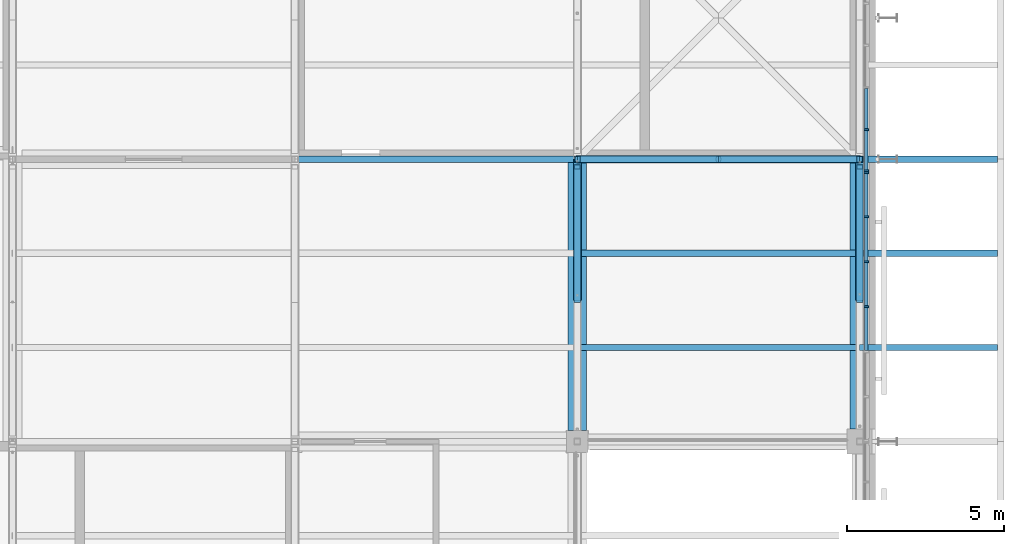
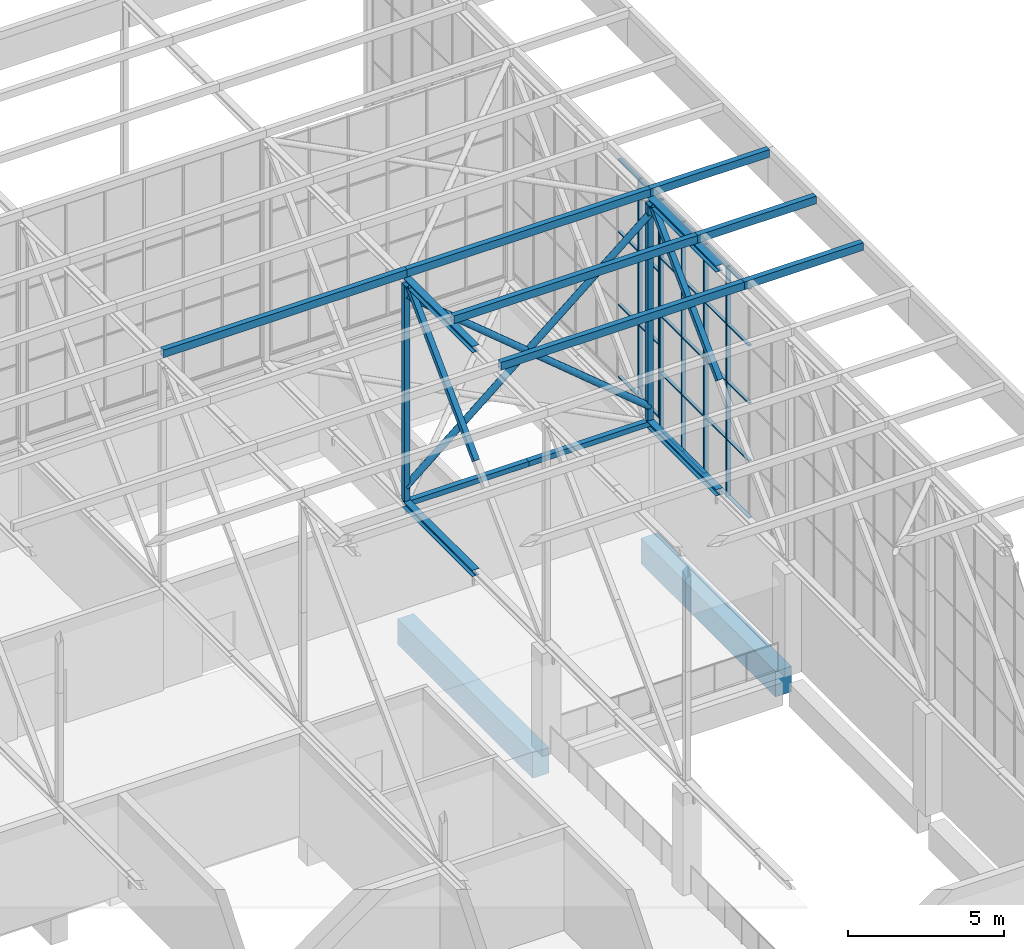
# One storey, part 110 of 646: 57 members, 2 beams, 2 elements without a shape of their own.
"""IFC4 building model written with IfcOpenShell, lengths in metres."""

from ifc_helpers import new_model, si_unit, direction, frame, origin, origin_2d, place, context, subcontext, project, spatial, rectangle, hollow_rectangle, hollow_circle, i_section, extrude, material, material_profile, profile_set, type_object, element, aggregate, save


model = new_model("IFC4")

# Units and contexts
model_context = context("Model", 3, precision=1e-05, world=origin(), true_north=direction((0.0, 1.0)))
body_context = subcontext(model_context, "Body", "Model", "MODEL_VIEW")
ifc_project = project(units=[si_unit("LENGTHUNIT", "METRE"), si_unit("AREAUNIT", "SQUARE_METRE"), si_unit("VOLUMEUNIT", "CUBIC_METRE"), si_unit("PLANEANGLEUNIT", "RADIAN"), si_unit("MASSUNIT", "GRAM", prefix="KILO")], contexts=[model_context])

# Site, building, storey
site_placement = place(None, origin())
site = spatial("IfcSite", under=ifc_project, at=site_placement, CompositionType="ELEMENT")
building_placement = place(site_placement, origin())
building = spatial("IfcBuilding", under=site, at=building_placement, Name="Silverbay Arena", CompositionType="ELEMENT")
storey_placement = place(building_placement, frame((0.0, 0.0, 33.5)))
storey = spatial("IfcBuildingStorey", under=building, at=storey_placement, Name="L05", CompositionType="ELEMENT", Elevation=33.5)

# Members
ifc_material_1 = material(Name="Steel S355", Category="steel")
ifc_material_profile_1 = material_profile(ifc_material_1, hollow_rectangle(XDim=0.199951171875, YDim=0.199951171875, WallThickness=0.008056640625, at=origin_2d()), Name="SHS 200x200x8")
ifc_profile_set_1 = profile_set([ifc_material_profile_1], Name="Steel S355")
member_type_1 = type_object("IfcMemberType", Name="Bracing strut SHS 200x200x8", PredefinedType="STRUT", material=ifc_profile_set_1)
for number, where, z_axis, x_axis, name in (
    (1, (198.0, 135.0, 4.126953125), (1.0, 0.0, 0.0), (0.0, 1.0, 0.0), "ROOF BRACING strut 23-24 line 15a"),
    (2, (202.5, 135.0, 4.126953125), (1.0, 0.0, 0.0), (0.0, 1.0, 0.0), "ROOF BRACING strut 23-24 line 15b"),
):
    element("IfcMember", number, at=place(storey_placement, frame(where, z_axis=z_axis, x_axis=x_axis)), inside=storey, type_object=member_type_1, Name=name, PredefinedType="STRUT", context=body_context, shape_type="SweptSolid", body=[
        extrude(hollow_rectangle(XDim=0.199951171875, YDim=0.199951171875, WallThickness=0.008056640625, at=origin_2d()), origin(), (0.0, 0.0, 1.0), 4.5),
    ])

# Curtain wall, members
ifc_material_2 = material(Name="Aluminium framed glazing", Category="aluminium")
curtain_wall_type_1 = type_object("IfcCurtainWallType", Name="Curtain wall clerestory 8600 x 9000", PredefinedType="NOTDEFINED", material=ifc_material_2)
curtain_wall_1_placement = place(storey_placement, origin())
curtain_wall_1 = element("IfcCurtainWall", 3, at=curtain_wall_1_placement, inside=storey, type_object=curtain_wall_type_1, Name="ROOF GABLE CLERESTORY CURTAIN WALL east bay 14", PredefinedType="NOTDEFINED")
ifc_material_3 = material(Name="Aluminium", Category="aluminium")
ifc_material_profile_2 = material_profile(ifc_material_3, rectangle(XDim=0.159912109375, YDim=0.06005859375, at=origin_2d()), Name="Mullion 60 x 160")
ifc_profile_set_2 = profile_set([ifc_material_profile_2], Name="Aluminium")
member_type_2 = type_object("IfcMemberType", Name="Mullion 60 x 160", PredefinedType="MULLION", material=ifc_profile_set_2)
member_1_placement = place(storey_placement, frame((207.2099609375, 130.300048828125, 4.0), z_axis=(0.0, 0.0, 1.0), x_axis=(-1.0, 0.0, 0.0)))
member_1 = element("IfcMember", 4, at=member_1_placement, type_object=member_type_2, Name="CW59 mullion 4", PredefinedType="MULLION", context=body_context, shape_type="SweptSolid", body=[
    extrude(rectangle(XDim=0.159912109375, YDim=0.06005859375, at=origin_2d()), origin(), (0.0, 0.0, 1.0), 9.0),
])
member_2_placement = place(storey_placement, frame((207.2099609375, 131.7333984375, 4.0), z_axis=(0.0, 0.0, 1.0), x_axis=(-1.0, 0.0, 0.0)))
member_2 = element("IfcMember", 5, at=member_2_placement, type_object=member_type_2, Name="CW59 mullion 5", PredefinedType="MULLION", context=body_context, shape_type="SweptSolid", body=[
    extrude(rectangle(XDim=0.159912109375, YDim=0.06005859375, at=origin_2d()), origin(), (0.0, 0.0, 1.0), 9.0),
])
member_3_placement = place(storey_placement, frame((207.2099609375, 133.166748046875, 4.0), z_axis=(0.0, 0.0, 1.0), x_axis=(-1.0, 0.0, 0.0)))
member_3 = element("IfcMember", 6, at=member_3_placement, type_object=member_type_2, Name="CW59 mullion 6", PredefinedType="MULLION", context=body_context, shape_type="SweptSolid", body=[
    extrude(rectangle(XDim=0.159912109375, YDim=0.06005859375, at=origin_2d()), origin(), (0.0, 0.0, 1.0), 9.0),
])
member_4_placement = place(storey_placement, frame((207.2099609375, 134.570068359375, 4.0), z_axis=(0.0, 0.0, 1.0), x_axis=(-1.0, 0.0, 0.0)))
member_4 = element("IfcMember", 7, at=member_4_placement, type_object=member_type_2, Name="CW59 mullion 7", PredefinedType="MULLION", context=body_context, shape_type="SweptSolid", body=[
    extrude(rectangle(XDim=0.159912109375, YDim=0.06005859375, at=origin_2d()), origin(), (0.0, 0.0, 1.0), 9.0),
])

ifc_material_4 = material(Name="Aluminium framed glazing", Category="aluminium")
curtain_wall_type_2 = type_object("IfcCurtainWallType", Name="Curtain wall clerestory 9400 x 8547", PredefinedType="NOTDEFINED", material=ifc_material_4)
curtain_wall_2_placement = place(storey_placement, origin())
curtain_wall_2 = element("IfcCurtainWall", 8, at=curtain_wall_2_placement, inside=storey, type_object=curtain_wall_type_2, Name="ROOF GABLE CLERESTORY CURTAIN WALL east bay 15", PredefinedType="NOTDEFINED")
member_5_placement = place(storey_placement, frame((207.2099609375, 134.6298828125, 4.453369140625), z_axis=(0.0, 0.0, 1.0), x_axis=(-1.0, 0.0, 0.0)))
member_5 = element("IfcMember", 9, at=member_5_placement, type_object=member_type_2, Name="CW58 mullion 1", PredefinedType="MULLION", context=body_context, shape_type="SweptSolid", body=[
    extrude(rectangle(XDim=0.159912109375, YDim=0.06005859375, at=origin_2d()), origin(), (0.0, 0.0, 1.0), 8.546630859375),
])
member_6_placement = place(storey_placement, frame((207.2099609375, 135.94287109375, 4.453369140625), z_axis=(0.0, 0.0, 1.0), x_axis=(-1.0, 0.0, 0.0)))
member_6 = element("IfcMember", 10, at=member_6_placement, type_object=member_type_2, Name="CW58 mullion 2", PredefinedType="MULLION", context=body_context, shape_type="SweptSolid", body=[
    extrude(rectangle(XDim=0.159912109375, YDim=0.06005859375, at=origin_2d()), origin(), (0.0, 0.0, 1.0), 8.546630859375),
])

# Members
ifc_material_5 = material(Name="Steel S355", Category="steel")
ifc_material_profile_3 = material_profile(ifc_material_5, hollow_rectangle(XDim=0.199951171875, YDim=0.300048828125, WallThickness=0.00634765625, at=origin_2d()), Name="RHS 300x200x6.3")
ifc_profile_set_3 = profile_set([ifc_material_profile_3], Name="Steel S355")
member_type_3 = type_object("IfcMemberType", Name="Purlin RHS 300x200x6.3", PredefinedType="PURLIN", material=ifc_profile_set_3)
member_7_placement = place(storey_placement, frame((189.0, 135.0, 13.14990234375), z_axis=(1.0, 0.0, 0.0), x_axis=(0.0, 1.0, 0.0)))
element("IfcMember", 11, at=member_7_placement, inside=storey, type_object=member_type_3, Name="ROOF PURLIN 22-23 line 43", PredefinedType="PURLIN", context=body_context, shape_type="SweptSolid", body=[
    extrude(hollow_rectangle(XDim=0.199951171875, YDim=0.300048828125, WallThickness=0.00634765625, at=origin_2d()), origin(), (0.0, 0.0, 1.0), 9.0),
])
ifc_material_6 = material(Name="Steel S355", Category="steel")
ifc_material_profile_4 = material_profile(ifc_material_6, hollow_rectangle(XDim=0.199951171875, YDim=0.300048828125, WallThickness=0.008056640625, at=origin_2d()), Name="RHS 300x200x8")
ifc_profile_set_4 = profile_set([ifc_material_profile_4], Name="Steel S355")
member_type_4 = type_object("IfcMemberType", Name="Purlin RHS 300x200x8", PredefinedType="PURLIN", material=ifc_profile_set_4)
for number, where, z_axis, x_axis, name in (
    (12, (198.0, 129.0, 13.14990234375), (1.0, 0.0, 0.0), (0.0, 1.0, 0.0), "ROOF PURLIN 23-24 line 41"),
    (13, (198.0, 132.0, 13.14990234375), (1.0, 0.0, 0.0), (0.0, 1.0, 0.0), "ROOF PURLIN 23-24 line 42"),
    (14, (198.0, 135.0, 13.14990234375), (1.0, 0.0, 0.0), (0.0, 1.0, 0.0), "ROOF PURLIN 23-24 line 43"),
):
    element("IfcMember", number, at=place(storey_placement, frame(where, z_axis=z_axis, x_axis=x_axis)), inside=storey, type_object=member_type_4, Name=name, PredefinedType="PURLIN", context=body_context, shape_type="SweptSolid", body=[
        extrude(hollow_rectangle(XDim=0.199951171875, YDim=0.300048828125, WallThickness=0.008056640625, at=origin_2d()), origin(), (0.0, 0.0, 1.0), 9.0),
    ])
for number, where, z_axis, x_axis, name in (
    (15, (211.39990234375, 129.0, 13.14990234375), (-1.0, 0.0, 0.0), (0.0, -1.0, 0.0), "ROOF PURLIN east eave line 41"),
    (16, (211.39990234375, 132.0, 13.14990234375), (-1.0, 0.0, 0.0), (0.0, -1.0, 0.0), "ROOF PURLIN east eave line 42"),
    (17, (211.39990234375, 135.0, 13.14990234375), (-1.0, 0.0, 0.0), (0.0, -1.0, 0.0), "ROOF PURLIN east eave line 43"),
):
    element("IfcMember", number, at=place(storey_placement, frame(where, z_axis=z_axis, x_axis=x_axis)), inside=storey, type_object=member_type_4, Name=name, PredefinedType="PURLIN", context=body_context, shape_type="SweptSolid", body=[
        extrude(hollow_rectangle(XDim=0.199951171875, YDim=0.300048828125, WallThickness=0.008056640625, at=origin_2d()), origin(), (0.0, 0.0, 1.0), 4.39990234375),
    ])

# Beams
ifc_material_7 = material(Name="Concrete Grade C45", Category="concrete")
ifc_material_profile_5 = material_profile(ifc_material_7, rectangle(XDim=0.60009765625, YDim=1.0, at=origin_2d()), Name="RC 600x1000")
ifc_profile_set_5 = profile_set([ifc_material_profile_5], Name="Concrete Grade C45")
beam_type = type_object("IfcBeamType", Name="RC beam 600x1000", PredefinedType="BEAM", material=ifc_profile_set_5)
beam_1_placement = place(storey_placement, frame((198.0, 126.35009765625, -0.800048828125), z_axis=(0.0, 1.0, 0.0), x_axis=(-1.0, 0.0, 0.0)))
element("IfcBeam", 18, at=beam_1_placement, inside=storey, type_object=beam_type, Name="Floor beam L05 146", PredefinedType="BEAM", context=body_context, shape_type="SweptSolid", body=[
    extrude(rectangle(XDim=0.60009765625, YDim=1.0, at=origin_2d()), origin(), (0.0, 0.0, 1.0), 8.64990234375),
])
beam_2_placement = place(storey_placement, frame((207.0, 126.39990234375, -0.800048828125), z_axis=(0.0, 1.0, 0.0), x_axis=(-1.0, 0.0, 0.0)))
element("IfcBeam", 19, at=beam_2_placement, inside=storey, type_object=beam_type, Name="Floor beam L05 154", PredefinedType="BEAM", context=body_context, shape_type="SweptSolid", body=[
    extrude(rectangle(XDim=0.60009765625, YDim=1.0, at=origin_2d()), origin(), (0.0, 0.0, 1.0), 8.60009765625),
])

# Members
ifc_material_8 = material(Name="Steel S355", Category="steel")
ifc_material_profile_6 = material_profile(ifc_material_8, i_section(OverallWidth=0.254638671875, OverallDepth=0.254150390625, WebThickness=0.008544921875, FlangeThickness=0.01416015625, at=origin_2d()), Name="UC 254x254x73")
ifc_profile_set_6 = profile_set([ifc_material_profile_6], Name="Steel S355")
member_type_5 = type_object("IfcMemberType", Name="Short-span bottom chord UC 254x254x73", PredefinedType="CHORD", material=ifc_profile_set_6)
for number, where, z_axis, x_axis, name in (
    (20, (198.0, 130.5, 4.126953125), (0.0, 1.0, 0.0), (-1.0, 0.0, 0.0), "ROOF TRUSS 23 bottom chord 14b"),
    (21, (207.0, 130.5, 4.126953125), (0.0, 1.0, 0.0), (-1.0, 0.0, 0.0), "ROOF TRUSS 24 bottom chord 14b"),
):
    element("IfcMember", number, at=place(storey_placement, frame(where, z_axis=z_axis, x_axis=x_axis)), inside=storey, type_object=member_type_5, Name=name, PredefinedType="CHORD", context=body_context, shape_type="SweptSolid", body=[
        extrude(i_section(OverallWidth=0.254638671875, OverallDepth=0.254150390625, WebThickness=0.008544921875, FlangeThickness=0.01416015625, at=origin_2d()), origin(), (0.0, 0.0, 1.0), 4.5),
    ])
ifc_material_9 = material(Name="Steel S355", Category="steel")
ifc_material_profile_7 = material_profile(ifc_material_9, i_section(OverallWidth=0.254638671875, OverallDepth=0.254150390625, WebThickness=0.008544921875, FlangeThickness=0.01416015625, at=origin_2d()), Name="UC 254x254x73")
ifc_profile_set_7 = profile_set([ifc_material_profile_7], Name="Steel S355")
member_type_6 = type_object("IfcMemberType", Name="Short-span top chord UC 254x254x73", PredefinedType="CHORD", material=ifc_profile_set_7)
for number, where, z_axis, x_axis, name in (
    (22, (198.0, 130.5, 12.873046875), (0.0, 1.0, 0.0), (-1.0, 0.0, 0.0), "ROOF TRUSS 23 top chord 14b"),
    (23, (207.0, 130.5, 12.873046875), (0.0, 1.0, 0.0), (-1.0, 0.0, 0.0), "ROOF TRUSS 24 top chord 14b"),
):
    element("IfcMember", number, at=place(storey_placement, frame(where, z_axis=z_axis, x_axis=x_axis)), inside=storey, type_object=member_type_6, Name=name, PredefinedType="CHORD", context=body_context, shape_type="SweptSolid", body=[
        extrude(i_section(OverallWidth=0.254638671875, OverallDepth=0.254150390625, WebThickness=0.008544921875, FlangeThickness=0.01416015625, at=origin_2d()), origin(), (0.0, 0.0, 1.0), 4.5),
    ])
ifc_material_10 = material(Name="Steel S355", Category="steel")
ifc_material_profile_8 = material_profile(ifc_material_10, hollow_rectangle(XDim=0.199951171875, YDim=0.199951171875, WallThickness=0.008056640625, at=origin_2d()), Name="SHS 200x200x8")
ifc_profile_set_8 = profile_set([ifc_material_profile_8], Name="Steel S355")
member_type_7 = type_object("IfcMemberType", Name="Short-span truss diagonal SHS 200x200x8", PredefinedType="BRACE", material=ifc_profile_set_8)
for number, where, z_axis, x_axis, name in (
    (24, (198.0, 134.75439453125, 12.745849609375), (0.0, -0.70781724692, -0.706395600894), (1.0, 0.0, 0.0), "ROOF TRUSS 23 diagonal 14a"),
    (25, (207.0, 134.75439453125, 12.745849609375), (0.0, -0.70781724692, -0.706395600894), (1.0, 0.0, 0.0), "ROOF TRUSS 24 diagonal 14a"),
):
    element("IfcMember", number, at=place(storey_placement, frame(where, z_axis=z_axis, x_axis=x_axis)), inside=storey, type_object=member_type_7, Name=name, PredefinedType="BRACE", context=body_context, shape_type="SweptSolid", body=[
        extrude(hollow_rectangle(XDim=0.199951171875, YDim=0.199951171875, WallThickness=0.008056640625, at=origin_2d()), origin(), (0.0, 0.0, 1.0), 6.010498046875),
    ])
ifc_material_11 = material(Name="Steel S355", Category="steel")
ifc_material_profile_9 = material_profile(ifc_material_11, hollow_rectangle(XDim=0.199951171875, YDim=0.199951171875, WallThickness=0.008056640625, at=origin_2d()), Name="SHS 200x200x8")
ifc_profile_set_9 = profile_set([ifc_material_profile_9], Name="Steel S355")
member_type_8 = type_object("IfcMemberType", Name="Short-span truss vertical SHS 200x200x8", PredefinedType="STRUT", material=ifc_profile_set_9)
for number, where, z_axis, x_axis, name in (
    (26, (198.0, 135.0, 4.254150390625), (0.0, 0.0, 1.0), (1.0, 0.0, 0.0), "ROOF TRUSS 23 vertical 15a"),
    (27, (198.0, 135.0, 8.5), (0.0, 0.0, 1.0), (1.0, 0.0, 0.0), "ROOF TRUSS 23 vertical 15b"),
    (28, (207.0, 135.0, 4.254150390625), (0.0, 0.0, 1.0), (1.0, 0.0, 0.0), "ROOF TRUSS 24 vertical 15a"),
    (29, (207.0, 135.0, 8.5), (0.0, 0.0, 1.0), (1.0, 0.0, 0.0), "ROOF TRUSS 24 vertical 15b"),
):
    element("IfcMember", number, at=place(storey_placement, frame(where, z_axis=z_axis, x_axis=x_axis)), inside=storey, type_object=member_type_8, Name=name, PredefinedType="STRUT", context=body_context, shape_type="SweptSolid", body=[
        extrude(hollow_rectangle(XDim=0.199951171875, YDim=0.199951171875, WallThickness=0.008056640625, at=origin_2d()), origin(), (0.0, 0.0, 1.0), 4.245849609375),
    ])

# Member
ifc_material_12 = material(Name="Aluminium", Category="aluminium")
ifc_material_profile_10 = material_profile(ifc_material_12, rectangle(XDim=0.1201171875, YDim=0.050048828125, at=origin_2d()), Name="Transom 50 x 120")
ifc_profile_set_10 = profile_set([ifc_material_profile_10], Name="Aluminium")
member_type_9 = type_object("IfcMemberType", Name="Transom 50 x 120", PredefinedType="USERDEFINED", material=ifc_profile_set_10)
member_8_placement = place(storey_placement, frame((207.2099609375, 128.896728515625, 4.02490234375), z_axis=(0.0, 1.0, 0.0), x_axis=(-1.0, 0.0, 0.0)))
member_8 = element("IfcMember", 30, at=member_8_placement, type_object=member_type_9, Name="CW59 transom 3.1", ObjectType="TRANSOM", PredefinedType="USERDEFINED", context=body_context, shape_type="SweptSolid", body=[
    extrude(rectangle(XDim=0.1201171875, YDim=0.050048828125, at=origin_2d()), origin(), (0.0, 0.0, 1.0), 1.373291015625),
])

member_9_placement = place(storey_placement, frame((207.2099609375, 128.896728515625, 6.25), z_axis=(0.0, 1.0, 0.0), x_axis=(-1.0, 0.0, 0.0)))
member_9 = element("IfcMember", 31, at=member_9_placement, type_object=member_type_9, Name="CW59 transom 3.2", ObjectType="TRANSOM", PredefinedType="USERDEFINED", context=body_context, shape_type="SweptSolid", body=[
    extrude(rectangle(XDim=0.1201171875, YDim=0.050048828125, at=origin_2d()), origin(), (0.0, 0.0, 1.0), 1.373291015625),
])

member_10_placement = place(storey_placement, frame((207.2099609375, 128.896728515625, 8.5), z_axis=(0.0, 1.0, 0.0), x_axis=(-1.0, 0.0, 0.0)))
member_10 = element("IfcMember", 32, at=member_10_placement, type_object=member_type_9, Name="CW59 transom 3.3", ObjectType="TRANSOM", PredefinedType="USERDEFINED", context=body_context, shape_type="SweptSolid", body=[
    extrude(rectangle(XDim=0.1201171875, YDim=0.050048828125, at=origin_2d()), origin(), (0.0, 0.0, 1.0), 1.373291015625),
])

member_11_placement = place(storey_placement, frame((207.2099609375, 128.896728515625, 10.75), z_axis=(0.0, 1.0, 0.0), x_axis=(-1.0, 0.0, 0.0)))
member_11 = element("IfcMember", 33, at=member_11_placement, type_object=member_type_9, Name="CW59 transom 3.4", ObjectType="TRANSOM", PredefinedType="USERDEFINED", context=body_context, shape_type="SweptSolid", body=[
    extrude(rectangle(XDim=0.1201171875, YDim=0.050048828125, at=origin_2d()), origin(), (0.0, 0.0, 1.0), 1.373291015625),
])

member_12_placement = place(storey_placement, frame((207.2099609375, 128.896728515625, 12.97509765625), z_axis=(0.0, 1.0, 0.0), x_axis=(-1.0, 0.0, 0.0)))
member_12 = element("IfcMember", 34, at=member_12_placement, type_object=member_type_9, Name="CW59 transom 3.5", ObjectType="TRANSOM", PredefinedType="USERDEFINED", context=body_context, shape_type="SweptSolid", body=[
    extrude(rectangle(XDim=0.1201171875, YDim=0.050048828125, at=origin_2d()), origin(), (0.0, 0.0, 1.0), 1.373291015625),
])

member_13_placement = place(storey_placement, frame((207.2099609375, 130.330078125, 4.02490234375), z_axis=(0.0, 1.0, 0.0), x_axis=(-1.0, 0.0, 0.0)))
member_13 = element("IfcMember", 35, at=member_13_placement, type_object=member_type_9, Name="CW59 transom 4.1", ObjectType="TRANSOM", PredefinedType="USERDEFINED", context=body_context, shape_type="SweptSolid", body=[
    extrude(rectangle(XDim=0.1201171875, YDim=0.050048828125, at=origin_2d()), origin(), (0.0, 0.0, 1.0), 1.373291015625),
])

member_14_placement = place(storey_placement, frame((207.2099609375, 130.330078125, 6.25), z_axis=(0.0, 1.0, 0.0), x_axis=(-1.0, 0.0, 0.0)))
member_14 = element("IfcMember", 36, at=member_14_placement, type_object=member_type_9, Name="CW59 transom 4.2", ObjectType="TRANSOM", PredefinedType="USERDEFINED", context=body_context, shape_type="SweptSolid", body=[
    extrude(rectangle(XDim=0.1201171875, YDim=0.050048828125, at=origin_2d()), origin(), (0.0, 0.0, 1.0), 1.373291015625),
])

member_15_placement = place(storey_placement, frame((207.2099609375, 130.330078125, 8.5), z_axis=(0.0, 1.0, 0.0), x_axis=(-1.0, 0.0, 0.0)))
member_15 = element("IfcMember", 37, at=member_15_placement, type_object=member_type_9, Name="CW59 transom 4.3", ObjectType="TRANSOM", PredefinedType="USERDEFINED", context=body_context, shape_type="SweptSolid", body=[
    extrude(rectangle(XDim=0.1201171875, YDim=0.050048828125, at=origin_2d()), origin(), (0.0, 0.0, 1.0), 1.373291015625),
])

member_16_placement = place(storey_placement, frame((207.2099609375, 130.330078125, 10.75), z_axis=(0.0, 1.0, 0.0), x_axis=(-1.0, 0.0, 0.0)))
member_16 = element("IfcMember", 38, at=member_16_placement, type_object=member_type_9, Name="CW59 transom 4.4", ObjectType="TRANSOM", PredefinedType="USERDEFINED", context=body_context, shape_type="SweptSolid", body=[
    extrude(rectangle(XDim=0.1201171875, YDim=0.050048828125, at=origin_2d()), origin(), (0.0, 0.0, 1.0), 1.373291015625),
])

member_17_placement = place(storey_placement, frame((207.2099609375, 130.330078125, 12.97509765625), z_axis=(0.0, 1.0, 0.0), x_axis=(-1.0, 0.0, 0.0)))
member_17 = element("IfcMember", 39, at=member_17_placement, type_object=member_type_9, Name="CW59 transom 4.5", ObjectType="TRANSOM", PredefinedType="USERDEFINED", context=body_context, shape_type="SweptSolid", body=[
    extrude(rectangle(XDim=0.1201171875, YDim=0.050048828125, at=origin_2d()), origin(), (0.0, 0.0, 1.0), 1.373291015625),
])

member_18_placement = place(storey_placement, frame((207.2099609375, 131.763427734375, 4.02490234375), z_axis=(0.0, 1.0, 0.0), x_axis=(-1.0, 0.0, 0.0)))
member_18 = element("IfcMember", 40, at=member_18_placement, type_object=member_type_9, Name="CW59 transom 5.1", ObjectType="TRANSOM", PredefinedType="USERDEFINED", context=body_context, shape_type="SweptSolid", body=[
    extrude(rectangle(XDim=0.1201171875, YDim=0.050048828125, at=origin_2d()), origin(), (0.0, 0.0, 1.0), 1.373291015625),
])

member_19_placement = place(storey_placement, frame((207.2099609375, 131.763427734375, 6.25), z_axis=(0.0, 1.0, 0.0), x_axis=(-1.0, 0.0, 0.0)))
member_19 = element("IfcMember", 41, at=member_19_placement, type_object=member_type_9, Name="CW59 transom 5.2", ObjectType="TRANSOM", PredefinedType="USERDEFINED", context=body_context, shape_type="SweptSolid", body=[
    extrude(rectangle(XDim=0.1201171875, YDim=0.050048828125, at=origin_2d()), origin(), (0.0, 0.0, 1.0), 1.373291015625),
])

member_20_placement = place(storey_placement, frame((207.2099609375, 131.763427734375, 8.5), z_axis=(0.0, 1.0, 0.0), x_axis=(-1.0, 0.0, 0.0)))
member_20 = element("IfcMember", 42, at=member_20_placement, type_object=member_type_9, Name="CW59 transom 5.3", ObjectType="TRANSOM", PredefinedType="USERDEFINED", context=body_context, shape_type="SweptSolid", body=[
    extrude(rectangle(XDim=0.1201171875, YDim=0.050048828125, at=origin_2d()), origin(), (0.0, 0.0, 1.0), 1.373291015625),
])

member_21_placement = place(storey_placement, frame((207.2099609375, 131.763427734375, 10.75), z_axis=(0.0, 1.0, 0.0), x_axis=(-1.0, 0.0, 0.0)))
member_21 = element("IfcMember", 43, at=member_21_placement, type_object=member_type_9, Name="CW59 transom 5.4", ObjectType="TRANSOM", PredefinedType="USERDEFINED", context=body_context, shape_type="SweptSolid", body=[
    extrude(rectangle(XDim=0.1201171875, YDim=0.050048828125, at=origin_2d()), origin(), (0.0, 0.0, 1.0), 1.373291015625),
])

member_22_placement = place(storey_placement, frame((207.2099609375, 131.763427734375, 12.97509765625), z_axis=(0.0, 1.0, 0.0), x_axis=(-1.0, 0.0, 0.0)))
member_22 = element("IfcMember", 44, at=member_22_placement, type_object=member_type_9, Name="CW59 transom 5.5", ObjectType="TRANSOM", PredefinedType="USERDEFINED", context=body_context, shape_type="SweptSolid", body=[
    extrude(rectangle(XDim=0.1201171875, YDim=0.050048828125, at=origin_2d()), origin(), (0.0, 0.0, 1.0), 1.373291015625),
])

member_23_placement = place(storey_placement, frame((207.2099609375, 133.19677734375, 4.02490234375), z_axis=(0.0, 1.0, 0.0), x_axis=(-1.0, 0.0, 0.0)))
member_23 = element("IfcMember", 45, at=member_23_placement, type_object=member_type_9, Name="CW59 transom 6.1", ObjectType="TRANSOM", PredefinedType="USERDEFINED", context=body_context, shape_type="SweptSolid", body=[
    extrude(rectangle(XDim=0.1201171875, YDim=0.050048828125, at=origin_2d()), origin(), (0.0, 0.0, 1.0), 1.34326171875),
])

member_24_placement = place(storey_placement, frame((207.2099609375, 133.19677734375, 6.25), z_axis=(0.0, 1.0, 0.0), x_axis=(-1.0, 0.0, 0.0)))
member_24 = element("IfcMember", 46, at=member_24_placement, type_object=member_type_9, Name="CW59 transom 6.2", ObjectType="TRANSOM", PredefinedType="USERDEFINED", context=body_context, shape_type="SweptSolid", body=[
    extrude(rectangle(XDim=0.1201171875, YDim=0.050048828125, at=origin_2d()), origin(), (0.0, 0.0, 1.0), 1.34326171875),
])

member_25_placement = place(storey_placement, frame((207.2099609375, 133.19677734375, 8.5), z_axis=(0.0, 1.0, 0.0), x_axis=(-1.0, 0.0, 0.0)))
member_25 = element("IfcMember", 47, at=member_25_placement, type_object=member_type_9, Name="CW59 transom 6.3", ObjectType="TRANSOM", PredefinedType="USERDEFINED", context=body_context, shape_type="SweptSolid", body=[
    extrude(rectangle(XDim=0.1201171875, YDim=0.050048828125, at=origin_2d()), origin(), (0.0, 0.0, 1.0), 1.34326171875),
])

member_26_placement = place(storey_placement, frame((207.2099609375, 133.19677734375, 10.75), z_axis=(0.0, 1.0, 0.0), x_axis=(-1.0, 0.0, 0.0)))
member_26 = element("IfcMember", 48, at=member_26_placement, type_object=member_type_9, Name="CW59 transom 6.4", ObjectType="TRANSOM", PredefinedType="USERDEFINED", context=body_context, shape_type="SweptSolid", body=[
    extrude(rectangle(XDim=0.1201171875, YDim=0.050048828125, at=origin_2d()), origin(), (0.0, 0.0, 1.0), 1.34326171875),
])

member_27_placement = place(storey_placement, frame((207.2099609375, 133.19677734375, 12.97509765625), z_axis=(0.0, 1.0, 0.0), x_axis=(-1.0, 0.0, 0.0)))
member_27 = element("IfcMember", 49, at=member_27_placement, type_object=member_type_9, Name="CW59 transom 6.5", ObjectType="TRANSOM", PredefinedType="USERDEFINED", context=body_context, shape_type="SweptSolid", body=[
    extrude(rectangle(XDim=0.1201171875, YDim=0.050048828125, at=origin_2d()), origin(), (0.0, 0.0, 1.0), 1.34326171875),
])

aggregate(curtain_wall_1, [member_1, member_2, member_3, member_4, member_8, member_9, member_10, member_11, member_12, member_13, member_14, member_15, member_16, member_17, member_18, member_19, member_20, member_21, member_22, member_23, member_24, member_25, member_26, member_27])

member_28_placement = place(storey_placement, frame((207.2099609375, 134.659912109375, 4.478515625), z_axis=(0.0, 1.0, 0.0), x_axis=(-1.0, 0.0, 0.0)))
member_28 = element("IfcMember", 50, at=member_28_placement, type_object=member_type_9, Name="CW58 transom 1.1", ObjectType="TRANSOM", PredefinedType="USERDEFINED", context=body_context, shape_type="SweptSolid", body=[
    extrude(rectangle(XDim=0.1201171875, YDim=0.050048828125, at=origin_2d()), origin(), (0.0, 0.0, 1.0), 1.2529296875),
])

member_29_placement = place(storey_placement, frame((207.2099609375, 134.659912109375, 7.30224609375), z_axis=(0.0, 1.0, 0.0), x_axis=(-1.0, 0.0, 0.0)))
member_29 = element("IfcMember", 51, at=member_29_placement, type_object=member_type_9, Name="CW58 transom 1.2", ObjectType="TRANSOM", PredefinedType="USERDEFINED", context=body_context, shape_type="SweptSolid", body=[
    extrude(rectangle(XDim=0.1201171875, YDim=0.050048828125, at=origin_2d()), origin(), (0.0, 0.0, 1.0), 1.2529296875),
])

member_30_placement = place(storey_placement, frame((207.2099609375, 134.659912109375, 10.151123046875), z_axis=(0.0, 1.0, 0.0), x_axis=(-1.0, 0.0, 0.0)))
member_30 = element("IfcMember", 52, at=member_30_placement, type_object=member_type_9, Name="CW58 transom 1.3", ObjectType="TRANSOM", PredefinedType="USERDEFINED", context=body_context, shape_type="SweptSolid", body=[
    extrude(rectangle(XDim=0.1201171875, YDim=0.050048828125, at=origin_2d()), origin(), (0.0, 0.0, 1.0), 1.2529296875),
])

member_31_placement = place(storey_placement, frame((207.2099609375, 134.659912109375, 12.97509765625), z_axis=(0.0, 1.0, 0.0), x_axis=(-1.0, 0.0, 0.0)))
member_31 = element("IfcMember", 53, at=member_31_placement, type_object=member_type_9, Name="CW58 transom 1.4", ObjectType="TRANSOM", PredefinedType="USERDEFINED", context=body_context, shape_type="SweptSolid", body=[
    extrude(rectangle(XDim=0.1201171875, YDim=0.050048828125, at=origin_2d()), origin(), (0.0, 0.0, 1.0), 1.2529296875),
])

member_32_placement = place(storey_placement, frame((207.2099609375, 135.972900390625, 4.478515625), z_axis=(0.0, 1.0, 0.0), x_axis=(-1.0, 0.0, 0.0)))
member_32 = element("IfcMember", 54, at=member_32_placement, type_object=member_type_9, Name="CW58 transom 2.1", ObjectType="TRANSOM", PredefinedType="USERDEFINED", context=body_context, shape_type="SweptSolid", body=[
    extrude(rectangle(XDim=0.1201171875, YDim=0.050048828125, at=origin_2d()), origin(), (0.0, 0.0, 1.0), 1.28271484375),
])

member_33_placement = place(storey_placement, frame((207.2099609375, 135.972900390625, 7.30224609375), z_axis=(0.0, 1.0, 0.0), x_axis=(-1.0, 0.0, 0.0)))
member_33 = element("IfcMember", 55, at=member_33_placement, type_object=member_type_9, Name="CW58 transom 2.2", ObjectType="TRANSOM", PredefinedType="USERDEFINED", context=body_context, shape_type="SweptSolid", body=[
    extrude(rectangle(XDim=0.1201171875, YDim=0.050048828125, at=origin_2d()), origin(), (0.0, 0.0, 1.0), 1.28271484375),
])

member_34_placement = place(storey_placement, frame((207.2099609375, 135.972900390625, 10.151123046875), z_axis=(0.0, 1.0, 0.0), x_axis=(-1.0, 0.0, 0.0)))
member_34 = element("IfcMember", 56, at=member_34_placement, type_object=member_type_9, Name="CW58 transom 2.3", ObjectType="TRANSOM", PredefinedType="USERDEFINED", context=body_context, shape_type="SweptSolid", body=[
    extrude(rectangle(XDim=0.1201171875, YDim=0.050048828125, at=origin_2d()), origin(), (0.0, 0.0, 1.0), 1.28271484375),
])

member_35_placement = place(storey_placement, frame((207.2099609375, 135.972900390625, 12.97509765625), z_axis=(0.0, 1.0, 0.0), x_axis=(-1.0, 0.0, 0.0)))
member_35 = element("IfcMember", 57, at=member_35_placement, type_object=member_type_9, Name="CW58 transom 2.4", ObjectType="TRANSOM", PredefinedType="USERDEFINED", context=body_context, shape_type="SweptSolid", body=[
    extrude(rectangle(XDim=0.1201171875, YDim=0.050048828125, at=origin_2d()), origin(), (0.0, 0.0, 1.0), 1.28271484375),
])

aggregate(curtain_wall_2, [member_5, member_6, member_28, member_29, member_30, member_31, member_32, member_33, member_34, member_35])

# Members
ifc_material_13 = material(Name="Steel S355", Category="steel")
ifc_material_profile_11 = material_profile(ifc_material_13, hollow_circle(Radius=0.122314453125, WallThickness=0.00634765625, at=origin_2d()), Name="CHS 244.5x6.3")
ifc_profile_set_11 = profile_set([ifc_material_profile_11], Name="Steel S355")
member_type_10 = type_object("IfcMemberType", Name="Vertical bracing CHS 244.5x6.3", PredefinedType="BRACE", material=ifc_profile_set_11)
for number, where, z_axis, x_axis, name in (
    (58, (198.0, 135.0, 4.754150390625), (0.768569784798, 0.0, 0.639765961814), (0.0, 1.0, 0.0), "ROOF BRACING vertical 23-24 line 15 Aa"),
    (59, (202.5, 135.0, 8.5), (0.768569784798, 0.0, 0.639765961814), (0.0, 1.0, 0.0), "ROOF BRACING vertical 23-24 line 15 Ab"),
    (60, (198.0, 135.0, 12.245849609375), (0.768569784798, 0.0, -0.639765961814), (0.0, 1.0, 0.0), "ROOF BRACING vertical 23-24 line 15 Ba"),
    (61, (202.5, 135.0, 8.5), (0.768569784798, 0.0, -0.639765961814), (0.0, 1.0, 0.0), "ROOF BRACING vertical 23-24 line 15 Bb"),
):
    element("IfcMember", number, at=place(storey_placement, frame(where, z_axis=z_axis, x_axis=x_axis)), inside=storey, type_object=member_type_10, Name=name, PredefinedType="BRACE", context=body_context, shape_type="SweptSolid", body=[
        extrude(hollow_circle(Radius=0.122314453125, WallThickness=0.00634765625, at=origin_2d()), origin(), (0.0, 0.0, 1.0), 5.85498046875),
    ])

save(model, "model.ifc")
